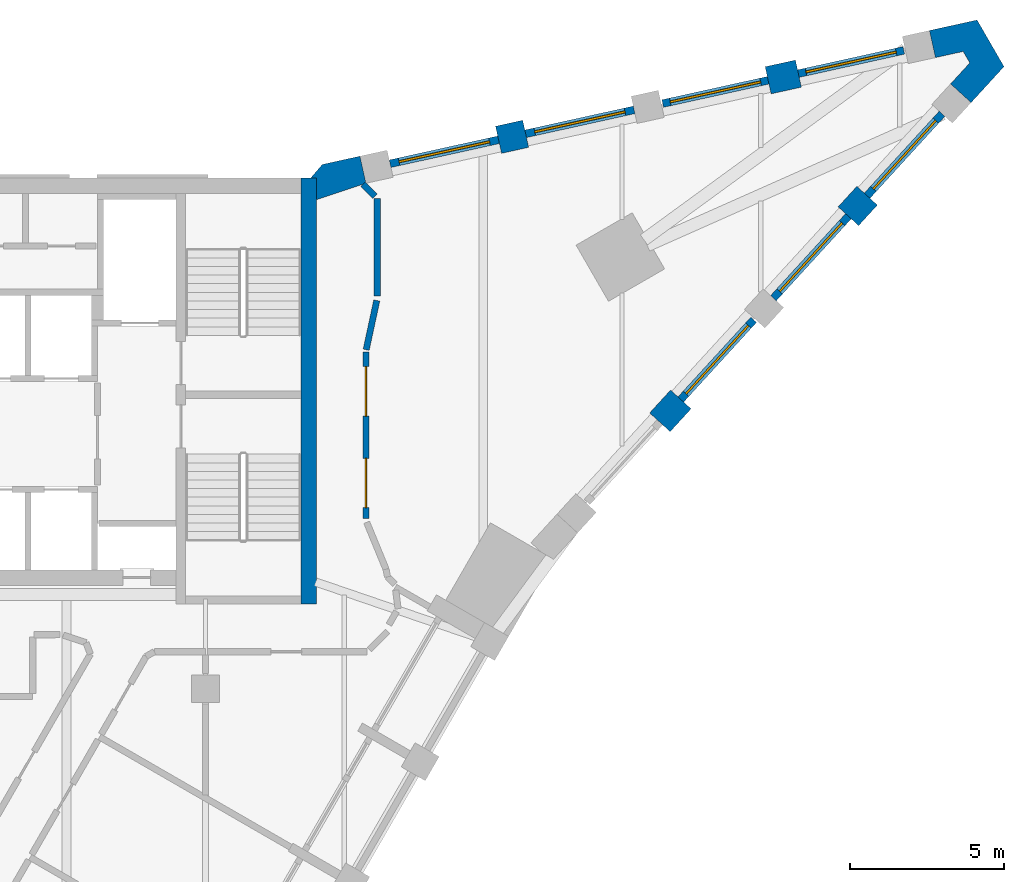
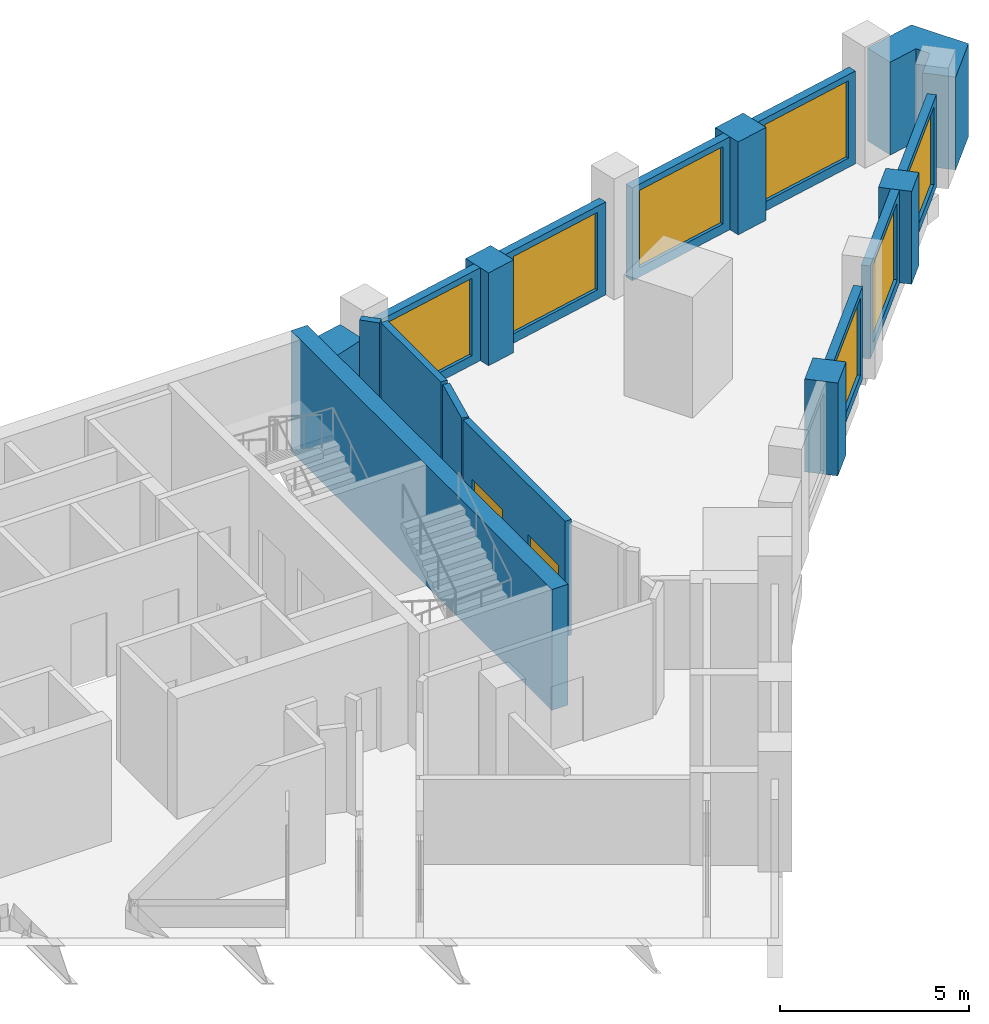
# One storey, part 7 of 9: 18 walls, 7 windows, 2 doors, 9 openings.
"""IFC4 building model written with IfcOpenShell, lengths in metres."""

from ifc_helpers import new_model, si_unit, direction, frame, frame_2d, origin, place, context, subcontext, project, spatial, polyline, rectangle, outline, extrude, material, layer, layer_set, type_object, element, fill, save


model = new_model("IFC4")

# Units and contexts
model_context = context("Model", 3, precision=1e-05, world=origin(), true_north=direction((0.0, 1.0)))
body_context = subcontext(model_context, "Body", "Model", "MODEL_VIEW")
ifc_project = project(units=[si_unit("LENGTHUNIT", "METRE"), si_unit("AREAUNIT", "SQUARE_METRE"), si_unit("VOLUMEUNIT", "CUBIC_METRE"), si_unit("PLANEANGLEUNIT", "RADIAN"), si_unit("MASSUNIT", "GRAM", prefix="KILO")], contexts=[model_context])

# Site, building, storey
site_placement = place(None, origin())
site = spatial("IfcSite", under=ifc_project, at=site_placement, CompositionType="ELEMENT")
building_placement = place(site_placement, origin())
building = spatial("IfcBuilding", under=site, at=building_placement, Name="Calabash Gate Tower", CompositionType="ELEMENT")
storey_placement = place(building_placement, frame((0.0, 0.0, 287.199951171875)))
storey = spatial("IfcBuildingStorey", under=building, at=storey_placement, Name="L69", CompositionType="ELEMENT", Elevation=287.199951171875)

# Walls
ifc_material_1 = material(Name="Terracotta brick masonry, exposed face", Category="masonry")
ifc_layer_1 = layer(ifc_material_1, 0.89990234375)
ifc_layer_set_1 = layer_set([ifc_layer_1], Name="Brick end wall 900")
wall_type_1 = type_object("IfcWallType", Name="Brick end wall 900", PredefinedType="SOLIDWALL", material=ifc_layer_set_1)
wall_1_placement = place(storey_placement, frame((23.728515625, 11.135009765625, 0.0), z_axis=(0.0, 0.0, 1.0), x_axis=(0.674788120713, 0.738011512203, 0.0)))
element("IfcWall", 1, at=wall_1_placement, inside=storey, type_object=wall_type_1, Name="Brick pier S21 wedge3.1", PredefinedType="SOLIDWALL", context=body_context, shape_type="SweptSolid", body=[
    extrude(rectangle(XDim=1.00390625, YDim=0.89990234375, at=frame_2d((0.501953125, 0.0))), origin(), (0.0, 0.0, 1.0), 3.0),
])
wall_2_placement = place(storey_placement, frame((30.44482421875, 18.47900390625, 0.0), z_axis=(0.0, 0.0, 1.0), x_axis=(-0.674938051731, -0.737874397391, 0.0)))
element("IfcWall", 2, at=wall_2_placement, inside=storey, type_object=wall_type_1, Name="Brick pier S21 wedge3.3", PredefinedType="SOLIDWALL", context=body_context, shape_type="SweptSolid", body=[
    extrude(rectangle(XDim=0.89990234375, YDim=0.89990234375, at=frame_2d((0.449951171875, 0.0))), origin(), (0.0, 0.0, 1.0), 3.0),
])
wall_3_placement = place(storey_placement, frame((28.21728515625, 22.436279296875, 0.0), z_axis=(0.0, 0.0, 1.0), x_axis=(-0.97656888558, -0.215205045752, 0.0)))
element("IfcWall", 3, at=wall_3_placement, inside=storey, type_object=wall_type_1, Name="Brick pier S21 wedge5.1", PredefinedType="SOLIDWALL", context=body_context, shape_type="SweptSolid", body=[
    extrude(rectangle(XDim=1.00390625, YDim=0.89990234375, at=frame_2d((0.501953125, 0.0))), origin(), (0.0, 0.0, 1.0), 3.0),
])
wall_4_placement = place(storey_placement, frame((18.4990234375, 20.2919921875, 0.0), z_axis=(0.0, 0.0, 1.0), x_axis=(0.976473402733, 0.215637876437, 0.0)))
element("IfcWall", 4, at=wall_4_placement, inside=storey, type_object=wall_type_1, Name="Brick pier S21 wedge5.3", PredefinedType="SOLIDWALL", context=body_context, shape_type="SweptSolid", body=[
    extrude(rectangle(XDim=0.900146484375, YDim=0.89990234375, at=frame_2d((0.4501953125, 0.0))), origin(), (0.0, 0.0, 1.0), 3.0),
])
wall_5_placement = place(storey_placement, origin())
element("IfcWall", 5, at=wall_5_placement, inside=storey, type_object=wall_type_1, Name="Brick end wall S21 2", PredefinedType="SOLIDWALL", context=body_context, shape_type="SweptSolid", body=[
    extrude(outline(polyline([(33.813720703125, 21.496337890625), (34.881591796875, 22.663818359375), (34.0087890625, 24.175048828125), (32.4638671875, 23.834228515625), (32.65771484375, 22.955322265625), (33.55908203125, 23.154296875), (33.7724609375, 22.78466796875), (33.149658203125, 22.103759765625), (33.813720703125, 21.496337890625)])), origin(), (0.0, 0.0, 1.0), 3.0),
])
wall_6_placement = place(storey_placement, origin())
element("IfcWall", 6, at=wall_6_placement, inside=storey, type_object=wall_type_1, Name="Brick end wall S21 3", PredefinedType="SOLIDWALL", context=body_context, shape_type="SweptSolid", body=[
    extrude(outline(polyline([(14.201416015625, 18.883056640625), (14.0078125, 19.761962890625), (12.784423828125, 19.491943359375), (12.410400390625, 19.052490234375), (12.60009765625, 19.052490234375), (12.60009765625, 18.351806640625), (14.201416015625, 18.883056640625)])), origin(), (0.0, 0.0, 1.0), 3.0),
])
ifc_material_2 = material(Name="Concrete C60/75", Category="concrete")
ifc_layer_2 = layer(ifc_material_2, 0.5)
ifc_layer_set_2 = layer_set([ifc_layer_2], Name="Core wall 500 Concrete C60/75")
wall_type_2 = type_object("IfcWallType", Name="Core wall 500 Concrete C60/75", PredefinedType="SHEAR", material=ifc_layer_set_2)
wall_7_placement = place(storey_placement, frame((12.35009765625, 5.252685546875, 0.0), z_axis=(0.0, 0.0, 1.0), x_axis=(0.0, 1.0, 0.0)))
element("IfcWall", 7, at=wall_7_placement, inside=storey, type_object=wall_type_2, Name="Core wall Z5-COLE L69", PredefinedType="SHEAR", context=body_context, shape_type="SweptSolid", body=[
    extrude(rectangle(XDim=13.7998046875, YDim=0.5, at=frame_2d((6.89990234375, 0.0))), origin(), (0.0, 0.0, 1.0), 3.900146484375),
])

# Wall, openings, doors
ifc_material_3 = material(Name="Gypsum board on steel studs, mineral wool", Category="steel")
ifc_layer_3 = layer(ifc_material_3, 0.199951171875)
ifc_layer_set_3 = layer_set([ifc_layer_3], Name="Partition 200 gypsum board EI 60")
wall_type_3 = type_object("IfcWallType", Name="Partition 200 gypsum board EI 60", PredefinedType="PARTITIONING", material=ifc_layer_set_3)
wall_8_placement = place(storey_placement, frame((14.200439453125, 8.017333984375, 0.0), z_axis=(0.0, 0.0, 1.0), x_axis=(0.0, 1.0, 0.0)))
wall_8 = element("IfcWall", 8, at=wall_8_placement, inside=storey, type_object=wall_type_3, Name="Partition", PredefinedType="PARTITIONING", context=body_context, shape_type="SweptSolid", body=[
    extrude(rectangle(XDim=5.400146484375, YDim=0.199951171875, at=frame_2d((2.7001953125, 0.0))), origin(), (0.0, 0.0, 1.0), 3.72998046875),
])
opening_1_placement = place(wall_8_placement, frame((3.3203125, 0.0, 0.0)))
opening_1 = element("IfcOpeningElement", 9, at=opening_1_placement, cuts=wall_8, Name="Opening 69-70-007", PredefinedType="OPENING", context=body_context, shape_type="SweptSolid", body=[
    extrude(rectangle(XDim=1.60009765625, YDim=2.10009765625, at=frame_2d((0.800048828125, 1.050048828125))), frame((0.0, 0.10986328125, 0.0), z_axis=(0.0, -1.0, 0.0), x_axis=(1.0, 0.0, 0.0)), (0.0, 0.0, 1.0), 0.219970703125),
])
opening_2_placement = place(wall_8_placement, frame((0.35009765625, 0.0, 0.0)))
opening_2 = element("IfcOpeningElement", 10, at=opening_2_placement, cuts=wall_8, Name="Opening 69-70-008", PredefinedType="OPENING", context=body_context, shape_type="SweptSolid", body=[
    extrude(rectangle(XDim=1.60009765625, YDim=2.10009765625, at=frame_2d((0.800048828125, 1.050048828125))), frame((0.0, 0.10986328125, 0.0), z_axis=(0.0, -1.0, 0.0), x_axis=(1.0, 0.0, 0.0)), (0.0, 0.0, 1.0), 0.219970703125),
])
ifc_material_4 = material(Name="Steel fire door set with fire-resisting glazing", Category="steel")
door_type = type_object("IfcDoorType", Name="LD1 Lounge double door 1600x2100", OperationType="NOTDEFINED", PredefinedType="DOOR", material=ifc_material_4)
door_1_placement = place(opening_1_placement, origin())
door_1 = element("IfcDoor", 11, at=door_1_placement, inside=storey, type_object=door_type, Name="Lounge double door", OperationType="DOUBLE_DOOR_SINGLE_SWING", OverallHeight=2.10009765625, OverallWidth=1.60009765625, PredefinedType="DOOR", context=body_context, shape_type="SweptSolid", body=[
    extrude(rectangle(XDim=1.60009765625, YDim=2.10009765625, at=frame_2d((0.800048828125, 1.050048828125))), frame((0.0, 0.02490234375, 0.0), z_axis=(0.0, -1.0, 0.0), x_axis=(1.0, 0.0, 0.0)), (0.0, 0.0, 1.0), 0.050048828125),
])
fill(opening_1, door_1)
door_2_placement = place(opening_2_placement, origin())
door_2 = element("IfcDoor", 12, at=door_2_placement, inside=storey, type_object=door_type, Name="Lounge double door", OperationType="DOUBLE_DOOR_SINGLE_SWING", OverallHeight=2.10009765625, OverallWidth=1.60009765625, PredefinedType="DOOR", context=body_context, shape_type="SweptSolid", body=[
    extrude(rectangle(XDim=1.60009765625, YDim=2.10009765625, at=frame_2d((0.800048828125, 1.050048828125))), frame((0.0, 0.02490234375, 0.0), z_axis=(0.0, -1.0, 0.0), x_axis=(1.0, 0.0, 0.0)), (0.0, 0.0, 1.0), 0.050048828125),
])
fill(opening_2, door_2)

# Walls
wall_9_placement = place(storey_placement, frame((14.2080078125, 13.48681640625, 0.0), z_axis=(0.0, 0.0, 1.0), x_axis=(0.210294567168, 0.977638069543, 0.0)))
element("IfcWall", 13, at=wall_9_placement, inside=storey, type_object=wall_type_3, Name="Partition", PredefinedType="PARTITIONING", context=body_context, shape_type="SweptSolid", body=[
    extrude(rectangle(XDim=1.633544921875, YDim=0.199951171875, at=frame_2d((0.81689453125, 0.0))), origin(), (0.0, 0.0, 1.0), 3.72998046875),
])
wall_10_placement = place(storey_placement, frame((14.566162109375, 18.392578125, 0.0), z_axis=(0.0, 0.0, 1.0), x_axis=(0.0, -1.0, 0.0)))
element("IfcWall", 14, at=wall_10_placement, inside=storey, type_object=wall_type_3, Name="Partition", PredefinedType="PARTITIONING", context=body_context, shape_type="SweptSolid", body=[
    extrude(rectangle(XDim=3.169921875, YDim=0.199951171875, at=frame_2d((1.5849609375, 0.0))), origin(), (0.0, 0.0, 1.0), 3.72998046875),
])
wall_11_placement = place(storey_placement, frame((14.107177734375, 18.851806640625, 0.0), z_axis=(0.0, 0.0, 1.0), x_axis=(0.707106781187, -0.707106781187, 0.0)))
element("IfcWall", 15, at=wall_11_placement, inside=storey, type_object=wall_type_3, Name="Partition", PredefinedType="PARTITIONING", context=body_context, shape_type="SweptSolid", body=[
    extrude(rectangle(XDim=0.54931640625, YDim=0.199951171875, at=frame_2d((0.274658203125, 0.0))), origin(), (0.0, 0.0, 1.0), 3.72998046875),
])

# Wall, opening, window
ifc_material_5 = material(Name="Aluminium framed window wall with insulated spandrel", Category="aluminium")
ifc_layer_4 = layer(ifc_material_5, 0.25)
ifc_layer_set_4 = layer_set([ifc_layer_4], Name="Prow window wall 250")
wall_type_4 = type_object("IfcWallType", Name="Prow window wall 250", PredefinedType="ELEMENTEDWALL", material=ifc_layer_set_4)
wall_12_placement = place(storey_placement, frame((24.40478515625, 11.87451171875, 0.0), z_axis=(0.0, 0.0, 1.0), x_axis=(0.67487449122, 0.737932531537, 0.0)))
wall_12 = element("IfcWall", 16, at=wall_12_placement, inside=storey, type_object=wall_type_4, Name="Prow window wall S21 wedge3.2", PredefinedType="ELEMENTEDWALL", context=body_context, shape_type="SweptSolid", body=[
    extrude(rectangle(XDim=3.5, YDim=0.25, at=frame_2d((1.75, 0.0))), origin(), (0.0, 0.0, 1.0), 3.0),
])
opening_3_placement = place(wall_12_placement, frame((0.25, 0.0, 0.300048828125)))
opening_3 = element("IfcOpeningElement", 17, at=opening_3_placement, cuts=wall_12, Name="Opening WP2", PredefinedType="OPENING", context=body_context, shape_type="SweptSolid", body=[
    extrude(rectangle(XDim=3.0, YDim=2.5, at=frame_2d((1.5, 1.25))), frame((0.0, 0.135009765625, 0.0), z_axis=(0.0, -1.0, 0.0), x_axis=(1.0, 0.0, 0.0)), (0.0, 0.0, 1.0), 0.27001953125),
])
ifc_material_6 = material(Name="Anodised aluminium frame, bronze finish, impact-rated laminated clear glazing", Category="aluminium")
window_type = type_object("IfcWindowType", Name="Window WP2 3000x2500", PartitioningType="DOUBLE_PANEL_VERTICAL", PredefinedType="WINDOW", material=ifc_material_6)
window_1_placement = place(opening_3_placement, origin())
window_1 = element("IfcWindow", 18, at=window_1_placement, inside=storey, type_object=window_type, Name="Prow window WP2 S21 wedge3.2", OverallHeight=2.5, OverallWidth=3.0, PartitioningType="SINGLE_PANEL", PredefinedType="WINDOW", context=body_context, shape_type="SweptSolid", body=[
    extrude(rectangle(XDim=3.0, YDim=2.5, at=frame_2d((1.5, 1.25))), frame((0.0, 0.030029296875, 0.0), z_axis=(0.0, -1.0, 0.0), x_axis=(1.0, 0.0, 0.0)), (0.0, 0.0, 1.0), 0.06005859375),
])
fill(opening_3, window_1)

wall_13_placement = place(storey_placement, frame((27.407958984375, 15.158203125, 0.0), z_axis=(0.0, 0.0, 1.0), x_axis=(0.674833575111, 0.737969949187, 0.0)))
wall_13 = element("IfcWall", 19, at=wall_13_placement, inside=storey, type_object=wall_type_4, Name="Prow window wall S21 wedge3.3", PredefinedType="ELEMENTEDWALL", context=body_context, shape_type="SweptSolid", body=[
    extrude(rectangle(XDim=3.60009765625, YDim=0.25, at=frame_2d((1.800048828125, 0.0))), origin(), (0.0, 0.0, 1.0), 3.0),
])
opening_4_placement = place(wall_13_placement, frame((0.300048828125, 0.0, 0.300048828125)))
opening_4 = element("IfcOpeningElement", 20, at=opening_4_placement, cuts=wall_13, Name="Opening WP2", PredefinedType="OPENING", context=body_context, shape_type="SweptSolid", body=[
    extrude(rectangle(XDim=3.0, YDim=2.5, at=frame_2d((1.5, 1.25))), frame((0.0, 0.135009765625, 0.0), z_axis=(0.0, -1.0, 0.0), x_axis=(1.0, 0.0, 0.0)), (0.0, 0.0, 1.0), 0.27001953125),
])
window_2_placement = place(opening_4_placement, origin())
window_2 = element("IfcWindow", 21, at=window_2_placement, inside=storey, type_object=window_type, Name="Prow window WP2 S21 wedge3.3", OverallHeight=2.5, OverallWidth=3.0, PartitioningType="SINGLE_PANEL", PredefinedType="WINDOW", context=body_context, shape_type="SweptSolid", body=[
    extrude(rectangle(XDim=3.0, YDim=2.5, at=frame_2d((1.5, 1.25))), frame((0.0, 0.030029296875, 0.0), z_axis=(0.0, -1.0, 0.0), x_axis=(1.0, 0.0, 0.0)), (0.0, 0.0, 1.0), 0.06005859375),
])
fill(opening_4, window_2)

wall_14_placement = place(storey_placement, frame((30.44482421875, 18.47900390625, 0.0), z_axis=(0.0, 0.0, 1.0), x_axis=(0.674833575111, 0.737969949187, 0.0)))
wall_14 = element("IfcWall", 22, at=wall_14_placement, inside=storey, type_object=wall_type_4, Name="Prow window wall S21 wedge3.4", PredefinedType="ELEMENTEDWALL", context=body_context, shape_type="SweptSolid", body=[
    extrude(rectangle(XDim=3.60009765625, YDim=0.25, at=frame_2d((1.800048828125, 0.0))), origin(), (0.0, 0.0, 1.0), 3.0),
])
opening_5_placement = place(wall_14_placement, frame((0.300048828125, 0.0, 0.300048828125)))
opening_5 = element("IfcOpeningElement", 23, at=opening_5_placement, cuts=wall_14, Name="Opening WP2", PredefinedType="OPENING", context=body_context, shape_type="SweptSolid", body=[
    extrude(rectangle(XDim=3.0, YDim=2.5, at=frame_2d((1.5, 1.25))), frame((0.0, 0.135009765625, 0.0), z_axis=(0.0, -1.0, 0.0), x_axis=(1.0, 0.0, 0.0)), (0.0, 0.0, 1.0), 0.27001953125),
])
window_3_placement = place(opening_5_placement, origin())
window_3 = element("IfcWindow", 24, at=window_3_placement, inside=storey, type_object=window_type, Name="Prow window WP2 S21 wedge3.4", OverallHeight=2.5, OverallWidth=3.0, PartitioningType="SINGLE_PANEL", PredefinedType="WINDOW", context=body_context, shape_type="SweptSolid", body=[
    extrude(rectangle(XDim=3.0, YDim=2.5, at=frame_2d((1.5, 1.25))), frame((0.0, 0.030029296875, 0.0), z_axis=(0.0, -1.0, 0.0), x_axis=(1.0, 0.0, 0.0)), (0.0, 0.0, 1.0), 0.06005859375),
])
fill(opening_5, window_3)

wall_15_placement = place(storey_placement, frame((31.633056640625, 23.190185546875, 0.0), z_axis=(0.0, 0.0, 1.0), x_axis=(-0.976509313763, -0.215475196101, 0.0)))
wall_15 = element("IfcWall", 25, at=wall_15_placement, inside=storey, type_object=wall_type_4, Name="Prow window wall S21 wedge5.1", PredefinedType="ELEMENTEDWALL", context=body_context, shape_type="SweptSolid", body=[
    extrude(rectangle(XDim=3.5, YDim=0.25, at=frame_2d((1.75, 0.0))), origin(), (0.0, 0.0, 1.0), 3.0),
])
opening_6_placement = place(wall_15_placement, frame((0.25, 0.0, 0.300048828125)))
opening_6 = element("IfcOpeningElement", 26, at=opening_6_placement, cuts=wall_15, Name="Opening WP2", PredefinedType="OPENING", context=body_context, shape_type="SweptSolid", body=[
    extrude(rectangle(XDim=3.0, YDim=2.5, at=frame_2d((1.5, 1.25))), frame((0.0, 0.135009765625, 0.0), z_axis=(0.0, -1.0, 0.0), x_axis=(1.0, 0.0, 0.0)), (0.0, 0.0, 1.0), 0.27001953125),
])
window_4_placement = place(opening_6_placement, origin())
window_4 = element("IfcWindow", 27, at=window_4_placement, inside=storey, type_object=window_type, Name="Prow window WP2 S21 wedge5.1", OverallHeight=2.5, OverallWidth=3.0, PartitioningType="SINGLE_PANEL", PredefinedType="WINDOW", context=body_context, shape_type="SweptSolid", body=[
    extrude(rectangle(XDim=3.0, YDim=2.5, at=frame_2d((1.5, 1.25))), frame((0.0, 0.030029296875, 0.0), z_axis=(0.0, -1.0, 0.0), x_axis=(1.0, 0.0, 0.0)), (0.0, 0.0, 1.0), 0.06005859375),
])
fill(opening_6, window_4)

wall_16_placement = place(storey_placement, frame((27.23876953125, 22.220458984375, 0.0), z_axis=(0.0, 0.0, 1.0), x_axis=(-0.976509313763, -0.215475196101, 0.0)))
wall_16 = element("IfcWall", 28, at=wall_16_placement, inside=storey, type_object=wall_type_4, Name="Prow window wall S21 wedge5.2", PredefinedType="ELEMENTEDWALL", context=body_context, shape_type="SweptSolid", body=[
    extrude(rectangle(XDim=3.5, YDim=0.25, at=frame_2d((1.75, 0.0))), origin(), (0.0, 0.0, 1.0), 3.0),
])
opening_7_placement = place(wall_16_placement, frame((0.25, 0.0, 0.300048828125)))
opening_7 = element("IfcOpeningElement", 29, at=opening_7_placement, cuts=wall_16, Name="Opening WP2", PredefinedType="OPENING", context=body_context, shape_type="SweptSolid", body=[
    extrude(rectangle(XDim=3.0, YDim=2.5, at=frame_2d((1.5, 1.25))), frame((0.0, 0.135009765625, 0.0), z_axis=(0.0, -1.0, 0.0), x_axis=(1.0, 0.0, 0.0)), (0.0, 0.0, 1.0), 0.27001953125),
])
window_5_placement = place(opening_7_placement, origin())
window_5 = element("IfcWindow", 30, at=window_5_placement, inside=storey, type_object=window_type, Name="Prow window WP2 S21 wedge5.2", OverallHeight=2.5, OverallWidth=3.0, PartitioningType="SINGLE_PANEL", PredefinedType="WINDOW", context=body_context, shape_type="SweptSolid", body=[
    extrude(rectangle(XDim=3.0, YDim=2.5, at=frame_2d((1.5, 1.25))), frame((0.0, 0.030029296875, 0.0), z_axis=(0.0, -1.0, 0.0), x_axis=(1.0, 0.0, 0.0)), (0.0, 0.0, 1.0), 0.06005859375),
])
fill(opening_7, window_5)

wall_17_placement = place(storey_placement, frame((22.893310546875, 21.26171875, 0.0), z_axis=(0.0, 0.0, 1.0), x_axis=(-0.976513072969, -0.215458159096, 0.0)))
wall_17 = element("IfcWall", 31, at=wall_17_placement, inside=storey, type_object=wall_type_4, Name="Prow window wall S21 wedge5.3", PredefinedType="ELEMENTEDWALL", context=body_context, shape_type="SweptSolid", body=[
    extrude(rectangle(XDim=3.599853515625, YDim=0.25, at=frame_2d((1.7998046875, 0.0))), origin(), (0.0, 0.0, 1.0), 3.0),
])
opening_8_placement = place(wall_17_placement, frame((0.300048828125, 0.0, 0.300048828125)))
opening_8 = element("IfcOpeningElement", 32, at=opening_8_placement, cuts=wall_17, Name="Opening WP2", PredefinedType="OPENING", context=body_context, shape_type="SweptSolid", body=[
    extrude(rectangle(XDim=3.0, YDim=2.5, at=frame_2d((1.5, 1.25))), frame((0.0, 0.135009765625, 0.0), z_axis=(0.0, -1.0, 0.0), x_axis=(1.0, 0.0, 0.0)), (0.0, 0.0, 1.0), 0.27001953125),
])
window_6_placement = place(opening_8_placement, origin())
window_6 = element("IfcWindow", 33, at=window_6_placement, inside=storey, type_object=window_type, Name="Prow window WP2 S21 wedge5.3", OverallHeight=2.5, OverallWidth=3.0, PartitioningType="SINGLE_PANEL", PredefinedType="WINDOW", context=body_context, shape_type="SweptSolid", body=[
    extrude(rectangle(XDim=3.0, YDim=2.5, at=frame_2d((1.5, 1.25))), frame((0.0, 0.030029296875, 0.0), z_axis=(0.0, -1.0, 0.0), x_axis=(1.0, 0.0, 0.0)), (0.0, 0.0, 1.0), 0.06005859375),
])
fill(opening_8, window_6)

wall_18_placement = place(storey_placement, frame((18.4990234375, 20.2919921875, 0.0), z_axis=(0.0, 0.0, 1.0), x_axis=(-0.976513072969, -0.215458159096, 0.0)))
wall_18 = element("IfcWall", 34, at=wall_18_placement, inside=storey, type_object=wall_type_4, Name="Prow window wall S21 wedge5.4", PredefinedType="ELEMENTEDWALL", context=body_context, shape_type="SweptSolid", body=[
    extrude(rectangle(XDim=3.599853515625, YDim=0.25, at=frame_2d((1.7998046875, 0.0))), origin(), (0.0, 0.0, 1.0), 3.0),
])
opening_9_placement = place(wall_18_placement, frame((0.300048828125, 0.0, 0.300048828125)))
opening_9 = element("IfcOpeningElement", 35, at=opening_9_placement, cuts=wall_18, Name="Opening WP2", PredefinedType="OPENING", context=body_context, shape_type="SweptSolid", body=[
    extrude(rectangle(XDim=3.0, YDim=2.5, at=frame_2d((1.5, 1.25))), frame((0.0, 0.135009765625, 0.0), z_axis=(0.0, -1.0, 0.0), x_axis=(1.0, 0.0, 0.0)), (0.0, 0.0, 1.0), 0.27001953125),
])
window_7_placement = place(opening_9_placement, origin())
window_7 = element("IfcWindow", 36, at=window_7_placement, inside=storey, type_object=window_type, Name="Prow window WP2 S21 wedge5.4", OverallHeight=2.5, OverallWidth=3.0, PartitioningType="SINGLE_PANEL", PredefinedType="WINDOW", context=body_context, shape_type="SweptSolid", body=[
    extrude(rectangle(XDim=3.0, YDim=2.5, at=frame_2d((1.5, 1.25))), frame((0.0, 0.030029296875, 0.0), z_axis=(0.0, -1.0, 0.0), x_axis=(1.0, 0.0, 0.0)), (0.0, 0.0, 1.0), 0.06005859375),
])
fill(opening_9, window_7)

save(model, "model.ifc")
